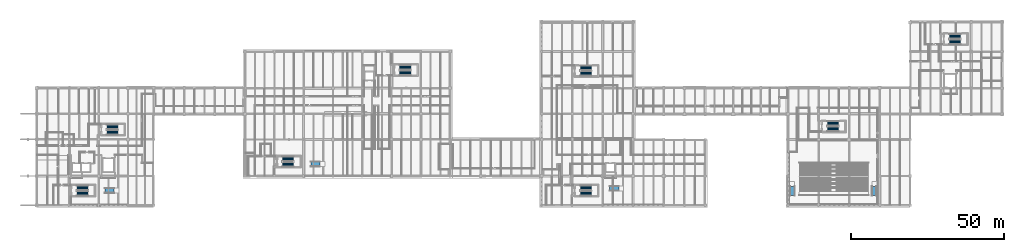
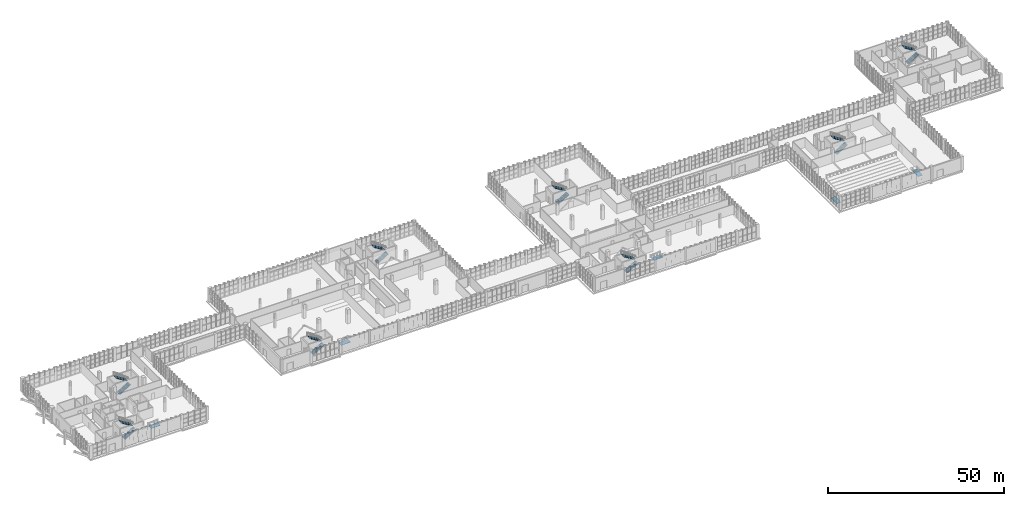
# One storey, part 106 of 121: 16 stair flights, 5 ramp flights, 13 elements without a shape of their own.
"""IFC4 building model written with IfcOpenShell, lengths in metres."""

from ifc_helpers import new_model, si_unit, direction, frame, origin, place, context, subcontext, project, spatial, polyline, outline, extrude, material, layer, layer_set, type_object, element, aggregate, save


model = new_model("IFC4")

# Units and contexts
model_context = context("Model", 3, precision=1e-05, world=origin(), true_north=direction((0.0, 1.0)))
body_context = subcontext(model_context, "Body", "Model", "MODEL_VIEW")
ifc_project = project(units=[si_unit("LENGTHUNIT", "METRE"), si_unit("AREAUNIT", "SQUARE_METRE"), si_unit("VOLUMEUNIT", "CUBIC_METRE"), si_unit("PLANEANGLEUNIT", "RADIAN"), si_unit("MASSUNIT", "GRAM", prefix="KILO")], contexts=[model_context])

# Site, building, storey
site_placement = place(None, origin())
site = spatial("IfcSite", under=ifc_project, at=site_placement, CompositionType="ELEMENT")
building_placement = place(site_placement, origin())
building = spatial("IfcBuilding", under=site, at=building_placement, Name="Zereglee Splitstone Museum", CompositionType="ELEMENT")
storey_placement = place(building_placement, origin())
storey = spatial("IfcBuildingStorey", under=building, at=storey_placement, Name="L00", CompositionType="ELEMENT", Elevation=0.0)

# Stair, stair flights
ifc_material = material(Name="Concrete C35/45", Category="concrete")
stair_type_1 = type_object("IfcStairType", Name="ST-01A", PredefinedType="HALF_TURN_STAIR", material=ifc_material)
stair_1_placement = place(storey_placement, origin())
stair_1 = element("IfcStair", 1, at=stair_1_placement, inside=storey, type_object=stair_type_1, Name="L00 Protected Exit Stair ST-01 A", PredefinedType="HALF_TURN_STAIR")
stair_flight_type_1 = type_object("IfcStairFlightType", Name="ST-01A", PredefinedType="STRAIGHT", material=ifc_material)
stair_flight_1_placement = place(storey_placement, frame((22.85009765625, 3.89990234375, 0.0), z_axis=(0.0, 0.0, 1.0), x_axis=(1.0, 0.0, 0.0)))
stair_flight_1 = element("IfcStairFlight", 2, at=stair_flight_1_placement, type_object=stair_flight_type_1, Name="ST-01A flight 1", NumberOfRisers=14, NumberOfTreads=13, PredefinedType="STRAIGHT", RiserHeight=0.171428571, TreadLength=0.28, context=body_context, shape_type="SweptSolid", body=[
    extrude(outline(polyline([(0.0, 0.0), (0.0, 0.17138671875), (0.280029296875, 0.17138671875), (0.280029296875, 0.3427734375), (0.56005859375, 0.3427734375), (0.56005859375, 0.514404296875), (0.840087890625, 0.514404296875), (0.840087890625, 0.685791015625), (1.1201171875, 0.685791015625), (1.1201171875, 0.857177734375), (1.39990234375, 0.857177734375), (1.39990234375, 1.028564453125), (1.679931640625, 1.028564453125), (1.679931640625, 1.199951171875), (1.9599609375, 1.199951171875), (1.9599609375, 1.371337890625), (2.239990234375, 1.371337890625), (2.239990234375, 1.54296875), (2.52001953125, 1.54296875), (2.52001953125, 1.71435546875), (2.800048828125, 1.71435546875), (2.800048828125, 1.8857421875), (3.080078125, 1.8857421875), (3.080078125, 2.05712890625), (3.360107421875, 2.05712890625), (3.360107421875, 2.228515625), (3.639892578125, 2.228515625), (3.639892578125, 2.39990234375), (3.639892578125, 2.041015625), (0.30615234375, 0.0), (0.0, 0.0)])), frame((0.0, 0.800048828125, 0.0), z_axis=(0.0, -1.0, 0.0), x_axis=(1.0, 0.0, 0.0)), (0.0, 0.0, 1.0), 1.60009765625),
])
stair_flight_2_placement = place(storey_placement, frame((26.489990234375, 5.699951171875, 2.39990234375), z_axis=(0.0, 0.0, 1.0), x_axis=(-1.0, 0.0, 0.0)))
stair_flight_2 = element("IfcStairFlight", 3, at=stair_flight_2_placement, type_object=stair_flight_type_1, Name="ST-01A flight 2", NumberOfRisers=14, NumberOfTreads=13, PredefinedType="STRAIGHT", RiserHeight=0.171428571, TreadLength=0.28, context=body_context, shape_type="SweptSolid", body=[
    extrude(outline(polyline([(0.0, 0.0), (0.0, 0.17138671875), (0.280029296875, 0.17138671875), (0.280029296875, 0.3427734375), (0.56005859375, 0.3427734375), (0.56005859375, 0.514404296875), (0.840087890625, 0.514404296875), (0.840087890625, 0.685791015625), (1.1201171875, 0.685791015625), (1.1201171875, 0.857177734375), (1.39990234375, 0.857177734375), (1.39990234375, 1.028564453125), (1.679931640625, 1.028564453125), (1.679931640625, 1.199951171875), (1.9599609375, 1.199951171875), (1.9599609375, 1.371337890625), (2.239990234375, 1.371337890625), (2.239990234375, 1.54296875), (2.52001953125, 1.54296875), (2.52001953125, 1.71435546875), (2.800048828125, 1.71435546875), (2.800048828125, 1.8857421875), (3.080078125, 1.8857421875), (3.080078125, 2.05712890625), (3.360107421875, 2.05712890625), (3.360107421875, 2.228515625), (3.639892578125, 2.228515625), (3.639892578125, 2.39990234375), (3.639892578125, 2.041015625), (0.30615234375, 0.0), (0.0, 0.0)])), frame((0.0, 0.800048828125, 0.0), z_axis=(0.0, -1.0, 0.0), x_axis=(1.0, 0.0, 0.0)), (0.0, 0.0, 1.0), 1.60009765625),
])
aggregate(stair_1, [stair_flight_1, stair_flight_2])

stair_type_2 = type_object("IfcStairType", Name="ST-02A", PredefinedType="HALF_TURN_STAIR", material=ifc_material)
stair_2_placement = place(storey_placement, origin())
stair_2 = element("IfcStair", 4, at=stair_2_placement, inside=storey, type_object=stair_type_2, Name="L00 Protected Exit Stair ST-02 A", PredefinedType="HALF_TURN_STAIR")
stair_flight_type_2 = type_object("IfcStairFlightType", Name="ST-02A", PredefinedType="STRAIGHT", material=ifc_material)
stair_flight_3_placement = place(storey_placement, frame((32.64990234375, 23.89990234375, 0.0), z_axis=(0.0, 0.0, 1.0), x_axis=(1.0, 0.0, 0.0)))
stair_flight_3 = element("IfcStairFlight", 5, at=stair_flight_3_placement, type_object=stair_flight_type_2, Name="ST-02A flight 1", NumberOfRisers=14, NumberOfTreads=13, PredefinedType="STRAIGHT", RiserHeight=0.171428571, TreadLength=0.28, context=body_context, shape_type="SweptSolid", body=[
    extrude(outline(polyline([(0.0, 0.0), (0.0, 0.17138671875), (0.280029296875, 0.17138671875), (0.280029296875, 0.3427734375), (0.56005859375, 0.3427734375), (0.56005859375, 0.514404296875), (0.840087890625, 0.514404296875), (0.840087890625, 0.685791015625), (1.1201171875, 0.685791015625), (1.1201171875, 0.857177734375), (1.39990234375, 0.857177734375), (1.39990234375, 1.028564453125), (1.679931640625, 1.028564453125), (1.679931640625, 1.199951171875), (1.9599609375, 1.199951171875), (1.9599609375, 1.371337890625), (2.239990234375, 1.371337890625), (2.239990234375, 1.54296875), (2.52001953125, 1.54296875), (2.52001953125, 1.71435546875), (2.800048828125, 1.71435546875), (2.800048828125, 1.8857421875), (3.080078125, 1.8857421875), (3.080078125, 2.05712890625), (3.360107421875, 2.05712890625), (3.360107421875, 2.228515625), (3.639892578125, 2.228515625), (3.639892578125, 2.39990234375), (3.639892578125, 2.041015625), (0.30615234375, 0.0), (0.0, 0.0)])), frame((0.0, 0.800048828125, 0.0), z_axis=(0.0, -1.0, 0.0), x_axis=(1.0, 0.0, 0.0)), (0.0, 0.0, 1.0), 1.60009765625),
])
stair_flight_4_placement = place(storey_placement, frame((36.2900390625, 25.699951171875, 2.39990234375), z_axis=(0.0, 0.0, 1.0), x_axis=(-1.0, 0.0, 0.0)))
stair_flight_4 = element("IfcStairFlight", 6, at=stair_flight_4_placement, type_object=stair_flight_type_2, Name="ST-02A flight 2", NumberOfRisers=14, NumberOfTreads=13, PredefinedType="STRAIGHT", RiserHeight=0.171428571, TreadLength=0.28, context=body_context, shape_type="SweptSolid", body=[
    extrude(outline(polyline([(0.0, 0.0), (0.0, 0.17138671875), (0.280029296875, 0.17138671875), (0.280029296875, 0.3427734375), (0.56005859375, 0.3427734375), (0.56005859375, 0.514404296875), (0.840087890625, 0.514404296875), (0.840087890625, 0.685791015625), (1.1201171875, 0.685791015625), (1.1201171875, 0.857177734375), (1.39990234375, 0.857177734375), (1.39990234375, 1.028564453125), (1.679931640625, 1.028564453125), (1.679931640625, 1.199951171875), (1.9599609375, 1.199951171875), (1.9599609375, 1.371337890625), (2.239990234375, 1.371337890625), (2.239990234375, 1.54296875), (2.52001953125, 1.54296875), (2.52001953125, 1.71435546875), (2.800048828125, 1.71435546875), (2.800048828125, 1.8857421875), (3.080078125, 1.8857421875), (3.080078125, 2.05712890625), (3.360107421875, 2.05712890625), (3.360107421875, 2.228515625), (3.639892578125, 2.228515625), (3.639892578125, 2.39990234375), (3.639892578125, 2.041015625), (0.30615234375, 0.0), (0.0, 0.0)])), frame((0.0, 0.800048828125, 0.0), z_axis=(0.0, -1.0, 0.0), x_axis=(1.0, 0.0, 0.0)), (0.0, 0.0, 1.0), 1.60009765625),
])
aggregate(stair_2, [stair_flight_3, stair_flight_4])

stair_type_3 = type_object("IfcStairType", Name="ST-03A", PredefinedType="HALF_TURN_STAIR", material=ifc_material)
stair_3_placement = place(storey_placement, origin())
stair_3 = element("IfcStair", 7, at=stair_3_placement, inside=storey, type_object=stair_type_3, Name="L00 Protected Exit Stair ST-03 A", PredefinedType="HALF_TURN_STAIR")
stair_flight_type_3 = type_object("IfcStairFlightType", Name="ST-03A", PredefinedType="STRAIGHT", material=ifc_material)
stair_flight_5_placement = place(storey_placement, frame((128.64990234375, 43.39990234375, 0.0), z_axis=(0.0, 0.0, 1.0), x_axis=(1.0, 0.0, 0.0)))
stair_flight_5 = element("IfcStairFlight", 8, at=stair_flight_5_placement, type_object=stair_flight_type_3, Name="ST-03A flight 1", NumberOfRisers=14, NumberOfTreads=13, PredefinedType="STRAIGHT", RiserHeight=0.171428571, TreadLength=0.28, context=body_context, shape_type="SweptSolid", body=[
    extrude(outline(polyline([(0.0, 0.0), (0.0, 0.17138671875), (0.280029296875, 0.17138671875), (0.280029296875, 0.3427734375), (0.56005859375, 0.3427734375), (0.56005859375, 0.514404296875), (0.840087890625, 0.514404296875), (0.840087890625, 0.685791015625), (1.1201171875, 0.685791015625), (1.1201171875, 0.857177734375), (1.39990234375, 0.857177734375), (1.39990234375, 1.028564453125), (1.679931640625, 1.028564453125), (1.679931640625, 1.199951171875), (1.9599609375, 1.199951171875), (1.9599609375, 1.371337890625), (2.239990234375, 1.371337890625), (2.239990234375, 1.54296875), (2.52001953125, 1.54296875), (2.52001953125, 1.71435546875), (2.800048828125, 1.71435546875), (2.800048828125, 1.8857421875), (3.080078125, 1.8857421875), (3.080078125, 2.05712890625), (3.360107421875, 2.05712890625), (3.360107421875, 2.228515625), (3.639892578125, 2.228515625), (3.639892578125, 2.39990234375), (3.639892578125, 2.041015625), (0.30615234375, 0.0), (0.0, 0.0)])), frame((0.0, 0.800048828125, 0.0), z_axis=(0.0, -1.0, 0.0), x_axis=(1.0, 0.0, 0.0)), (0.0, 0.0, 1.0), 1.60009765625),
])
stair_flight_6_placement = place(storey_placement, frame((132.2900390625, 45.199951171875, 2.39990234375), z_axis=(0.0, 0.0, 1.0), x_axis=(-1.0, 0.0, 0.0)))
stair_flight_6 = element("IfcStairFlight", 9, at=stair_flight_6_placement, type_object=stair_flight_type_3, Name="ST-03A flight 2", NumberOfRisers=14, NumberOfTreads=13, PredefinedType="STRAIGHT", RiserHeight=0.171428571, TreadLength=0.28, context=body_context, shape_type="SweptSolid", body=[
    extrude(outline(polyline([(0.0, 0.0), (0.0, 0.17138671875), (0.280029296875, 0.17138671875), (0.280029296875, 0.3427734375), (0.56005859375, 0.3427734375), (0.56005859375, 0.514404296875), (0.840087890625, 0.514404296875), (0.840087890625, 0.685791015625), (1.1201171875, 0.685791015625), (1.1201171875, 0.857177734375), (1.39990234375, 0.857177734375), (1.39990234375, 1.028564453125), (1.679931640625, 1.028564453125), (1.679931640625, 1.199951171875), (1.9599609375, 1.199951171875), (1.9599609375, 1.371337890625), (2.239990234375, 1.371337890625), (2.239990234375, 1.54296875), (2.52001953125, 1.54296875), (2.52001953125, 1.71435546875), (2.800048828125, 1.71435546875), (2.800048828125, 1.8857421875), (3.080078125, 1.8857421875), (3.080078125, 2.05712890625), (3.360107421875, 2.05712890625), (3.360107421875, 2.228515625), (3.639892578125, 2.228515625), (3.639892578125, 2.39990234375), (3.639892578125, 2.041015625), (0.30615234375, 0.0), (0.0, 0.0)])), frame((0.0, 0.800048828125, 0.0), z_axis=(0.0, -1.0, 0.0), x_axis=(1.0, 0.0, 0.0)), (0.0, 0.0, 1.0), 1.60009765625),
])
aggregate(stair_3, [stair_flight_5, stair_flight_6])

stair_type_4 = type_object("IfcStairType", Name="ST-04A", PredefinedType="HALF_TURN_STAIR", material=ifc_material)
stair_4_placement = place(storey_placement, origin())
stair_4 = element("IfcStair", 10, at=stair_4_placement, inside=storey, type_object=stair_type_4, Name="L00 Protected Exit Stair ST-04 A", PredefinedType="HALF_TURN_STAIR")
stair_flight_type_4 = type_object("IfcStairFlightType", Name="ST-04A", PredefinedType="STRAIGHT", material=ifc_material)
stair_flight_7_placement = place(storey_placement, frame((187.85009765625, 3.89990234375, 0.0), z_axis=(0.0, 0.0, 1.0), x_axis=(1.0, 0.0, 0.0)))
stair_flight_7 = element("IfcStairFlight", 11, at=stair_flight_7_placement, type_object=stair_flight_type_4, Name="ST-04A flight 1", NumberOfRisers=14, NumberOfTreads=13, PredefinedType="STRAIGHT", RiserHeight=0.171428571, TreadLength=0.28, context=body_context, shape_type="SweptSolid", body=[
    extrude(outline(polyline([(0.0, 0.0), (0.0, 0.17138671875), (0.280029296875, 0.17138671875), (0.280029296875, 0.3427734375), (0.56005859375, 0.3427734375), (0.56005859375, 0.514404296875), (0.840087890625, 0.514404296875), (0.840087890625, 0.685791015625), (1.1201171875, 0.685791015625), (1.1201171875, 0.857177734375), (1.39990234375, 0.857177734375), (1.39990234375, 1.028564453125), (1.679931640625, 1.028564453125), (1.679931640625, 1.199951171875), (1.9599609375, 1.199951171875), (1.9599609375, 1.371337890625), (2.239990234375, 1.371337890625), (2.239990234375, 1.54296875), (2.52001953125, 1.54296875), (2.52001953125, 1.71435546875), (2.800048828125, 1.71435546875), (2.800048828125, 1.8857421875), (3.080078125, 1.8857421875), (3.080078125, 2.05712890625), (3.360107421875, 2.05712890625), (3.360107421875, 2.228515625), (3.639892578125, 2.228515625), (3.639892578125, 2.39990234375), (3.639892578125, 2.041015625), (0.30615234375, 0.0), (0.0, 0.0)])), frame((0.0, 0.800048828125, 0.0), z_axis=(0.0, -1.0, 0.0), x_axis=(1.0, 0.0, 0.0)), (0.0, 0.0, 1.0), 1.60009765625),
])
stair_flight_8_placement = place(storey_placement, frame((191.489990234375, 5.699951171875, 2.39990234375), z_axis=(0.0, 0.0, 1.0), x_axis=(-1.0, 0.0, 0.0)))
stair_flight_8 = element("IfcStairFlight", 12, at=stair_flight_8_placement, type_object=stair_flight_type_4, Name="ST-04A flight 2", NumberOfRisers=14, NumberOfTreads=13, PredefinedType="STRAIGHT", RiserHeight=0.171428571, TreadLength=0.28, context=body_context, shape_type="SweptSolid", body=[
    extrude(outline(polyline([(0.0, 0.0), (0.0, 0.17138671875), (0.280029296875, 0.17138671875), (0.280029296875, 0.3427734375), (0.56005859375, 0.3427734375), (0.56005859375, 0.514404296875), (0.840087890625, 0.514404296875), (0.840087890625, 0.685791015625), (1.1201171875, 0.685791015625), (1.1201171875, 0.857177734375), (1.39990234375, 0.857177734375), (1.39990234375, 1.028564453125), (1.679931640625, 1.028564453125), (1.679931640625, 1.199951171875), (1.9599609375, 1.199951171875), (1.9599609375, 1.371337890625), (2.239990234375, 1.371337890625), (2.239990234375, 1.54296875), (2.52001953125, 1.54296875), (2.52001953125, 1.71435546875), (2.800048828125, 1.71435546875), (2.800048828125, 1.8857421875), (3.080078125, 1.8857421875), (3.080078125, 2.05712890625), (3.360107421875, 2.05712890625), (3.360107421875, 2.228515625), (3.639892578125, 2.228515625), (3.639892578125, 2.39990234375), (3.639892578125, 2.041015625), (0.30615234375, 0.0), (0.0, 0.0)])), frame((0.0, 0.800048828125, 0.0), z_axis=(0.0, -1.0, 0.0), x_axis=(1.0, 0.0, 0.0)), (0.0, 0.0, 1.0), 1.60009765625),
])
aggregate(stair_4, [stair_flight_7, stair_flight_8])

stair_type_5 = type_object("IfcStairType", Name="ST-05A", PredefinedType="HALF_TURN_STAIR", material=ifc_material)
stair_5_placement = place(storey_placement, origin())
stair_5 = element("IfcStair", 13, at=stair_5_placement, inside=storey, type_object=stair_type_5, Name="L00 Protected Exit Stair ST-05 A", PredefinedType="HALF_TURN_STAIR")
stair_flight_type_5 = type_object("IfcStairFlightType", Name="ST-05A", PredefinedType="STRAIGHT", material=ifc_material)
stair_flight_9_placement = place(storey_placement, frame((268.85009765625, 25.0, 0.0), z_axis=(0.0, 0.0, 1.0), x_axis=(1.0, 0.0, 0.0)))
stair_flight_9 = element("IfcStairFlight", 14, at=stair_flight_9_placement, type_object=stair_flight_type_5, Name="ST-05A flight 1", NumberOfRisers=14, NumberOfTreads=13, PredefinedType="STRAIGHT", RiserHeight=0.171428571, TreadLength=0.28, context=body_context, shape_type="SweptSolid", body=[
    extrude(outline(polyline([(0.0, 0.0), (0.0, 0.17138671875), (0.280029296875, 0.17138671875), (0.280029296875, 0.3427734375), (0.56005859375, 0.3427734375), (0.56005859375, 0.514404296875), (0.840087890625, 0.514404296875), (0.840087890625, 0.685791015625), (1.1201171875, 0.685791015625), (1.1201171875, 0.857177734375), (1.39990234375, 0.857177734375), (1.39990234375, 1.028564453125), (1.679931640625, 1.028564453125), (1.679931640625, 1.199951171875), (1.9599609375, 1.199951171875), (1.9599609375, 1.371337890625), (2.239990234375, 1.371337890625), (2.239990234375, 1.54296875), (2.52001953125, 1.54296875), (2.52001953125, 1.71435546875), (2.800048828125, 1.71435546875), (2.800048828125, 1.8857421875), (3.080078125, 1.8857421875), (3.080078125, 2.05712890625), (3.360107421875, 2.05712890625), (3.360107421875, 2.228515625), (3.639892578125, 2.228515625), (3.639892578125, 2.39990234375), (3.639892578125, 2.041015625), (0.30615234375, 0.0), (0.0, 0.0)])), frame((0.0, 0.800048828125, 0.0), z_axis=(0.0, -1.0, 0.0), x_axis=(1.0, 0.0, 0.0)), (0.0, 0.0, 1.0), 1.60009765625),
])
stair_flight_10_placement = place(storey_placement, frame((272.489990234375, 26.800048828125, 2.39990234375), z_axis=(0.0, 0.0, 1.0), x_axis=(-1.0, 0.0, 0.0)))
stair_flight_10 = element("IfcStairFlight", 15, at=stair_flight_10_placement, type_object=stair_flight_type_5, Name="ST-05A flight 2", NumberOfRisers=14, NumberOfTreads=13, PredefinedType="STRAIGHT", RiserHeight=0.171428571, TreadLength=0.28, context=body_context, shape_type="SweptSolid", body=[
    extrude(outline(polyline([(0.0, 0.0), (0.0, 0.17138671875), (0.280029296875, 0.17138671875), (0.280029296875, 0.3427734375), (0.56005859375, 0.3427734375), (0.56005859375, 0.514404296875), (0.840087890625, 0.514404296875), (0.840087890625, 0.685791015625), (1.1201171875, 0.685791015625), (1.1201171875, 0.857177734375), (1.39990234375, 0.857177734375), (1.39990234375, 1.028564453125), (1.679931640625, 1.028564453125), (1.679931640625, 1.199951171875), (1.9599609375, 1.199951171875), (1.9599609375, 1.371337890625), (2.239990234375, 1.371337890625), (2.239990234375, 1.54296875), (2.52001953125, 1.54296875), (2.52001953125, 1.71435546875), (2.800048828125, 1.71435546875), (2.800048828125, 1.8857421875), (3.080078125, 1.8857421875), (3.080078125, 2.05712890625), (3.360107421875, 2.05712890625), (3.360107421875, 2.228515625), (3.639892578125, 2.228515625), (3.639892578125, 2.39990234375), (3.639892578125, 2.041015625), (0.30615234375, 0.0), (0.0, 0.0)])), frame((0.0, 0.800048828125, 0.0), z_axis=(0.0, -1.0, 0.0), x_axis=(1.0, 0.0, 0.0)), (0.0, 0.0, 1.0), 1.60009765625),
])
aggregate(stair_5, [stair_flight_9, stair_flight_10])

stair_type_6 = type_object("IfcStairType", Name="ST-06A", PredefinedType="HALF_TURN_STAIR", material=ifc_material)
stair_6_placement = place(storey_placement, origin())
stair_6 = element("IfcStair", 16, at=stair_6_placement, inside=storey, type_object=stair_type_6, Name="L00 Protected Exit Stair ST-06 A", PredefinedType="HALF_TURN_STAIR")
stair_flight_type_6 = type_object("IfcStairFlightType", Name="ST-06A", PredefinedType="STRAIGHT", material=ifc_material)
stair_flight_11_placement = place(storey_placement, frame((90.25, 13.39990234375, 0.0), z_axis=(0.0, 0.0, 1.0), x_axis=(1.0, 0.0, 0.0)))
stair_flight_11 = element("IfcStairFlight", 17, at=stair_flight_11_placement, type_object=stair_flight_type_6, Name="ST-06A flight 1", NumberOfRisers=14, NumberOfTreads=13, PredefinedType="STRAIGHT", RiserHeight=0.171428571, TreadLength=0.28, context=body_context, shape_type="SweptSolid", body=[
    extrude(outline(polyline([(0.0, 0.0), (0.0, 0.17138671875), (0.280029296875, 0.17138671875), (0.280029296875, 0.3427734375), (0.56005859375, 0.3427734375), (0.56005859375, 0.514404296875), (0.840087890625, 0.514404296875), (0.840087890625, 0.685791015625), (1.1201171875, 0.685791015625), (1.1201171875, 0.857177734375), (1.39990234375, 0.857177734375), (1.39990234375, 1.028564453125), (1.679931640625, 1.028564453125), (1.679931640625, 1.199951171875), (1.9599609375, 1.199951171875), (1.9599609375, 1.371337890625), (2.239990234375, 1.371337890625), (2.239990234375, 1.54296875), (2.52001953125, 1.54296875), (2.52001953125, 1.71435546875), (2.800048828125, 1.71435546875), (2.800048828125, 1.8857421875), (3.080078125, 1.8857421875), (3.080078125, 2.05712890625), (3.360107421875, 2.05712890625), (3.360107421875, 2.228515625), (3.639892578125, 2.228515625), (3.639892578125, 2.39990234375), (3.639892578125, 2.041015625), (0.30615234375, 0.0), (0.0, 0.0)])), frame((0.0, 0.800048828125, 0.0), z_axis=(0.0, -1.0, 0.0), x_axis=(1.0, 0.0, 0.0)), (0.0, 0.0, 1.0), 1.60009765625),
])
stair_flight_12_placement = place(storey_placement, frame((93.889892578125, 15.199951171875, 2.39990234375), z_axis=(0.0, 0.0, 1.0), x_axis=(-1.0, 0.0, 0.0)))
stair_flight_12 = element("IfcStairFlight", 18, at=stair_flight_12_placement, type_object=stair_flight_type_6, Name="ST-06A flight 2", NumberOfRisers=14, NumberOfTreads=13, PredefinedType="STRAIGHT", RiserHeight=0.171428571, TreadLength=0.28, context=body_context, shape_type="SweptSolid", body=[
    extrude(outline(polyline([(0.0, 0.0), (0.0, 0.17138671875), (0.280029296875, 0.17138671875), (0.280029296875, 0.3427734375), (0.56005859375, 0.3427734375), (0.56005859375, 0.514404296875), (0.840087890625, 0.514404296875), (0.840087890625, 0.685791015625), (1.1201171875, 0.685791015625), (1.1201171875, 0.857177734375), (1.39990234375, 0.857177734375), (1.39990234375, 1.028564453125), (1.679931640625, 1.028564453125), (1.679931640625, 1.199951171875), (1.9599609375, 1.199951171875), (1.9599609375, 1.371337890625), (2.239990234375, 1.371337890625), (2.239990234375, 1.54296875), (2.52001953125, 1.54296875), (2.52001953125, 1.71435546875), (2.800048828125, 1.71435546875), (2.800048828125, 1.8857421875), (3.080078125, 1.8857421875), (3.080078125, 2.05712890625), (3.360107421875, 2.05712890625), (3.360107421875, 2.228515625), (3.639892578125, 2.228515625), (3.639892578125, 2.39990234375), (3.639892578125, 2.041015625), (0.30615234375, 0.0), (0.0, 0.0)])), frame((0.0, 0.800048828125, 0.0), z_axis=(0.0, -1.0, 0.0), x_axis=(1.0, 0.0, 0.0)), (0.0, 0.0, 1.0), 1.60009765625),
])
aggregate(stair_6, [stair_flight_11, stair_flight_12])

stair_type_7 = type_object("IfcStairType", Name="ST-07A", PredefinedType="HALF_TURN_STAIR", material=ifc_material)
stair_7_placement = place(storey_placement, origin())
stair_7 = element("IfcStair", 19, at=stair_7_placement, inside=storey, type_object=stair_type_7, Name="L00 Protected Exit Stair ST-07 A", PredefinedType="HALF_TURN_STAIR")
stair_flight_type_7 = type_object("IfcStairFlightType", Name="ST-07A", PredefinedType="STRAIGHT", material=ifc_material)
stair_flight_13_placement = place(storey_placement, frame((187.85009765625, 43.199951171875, 0.0), z_axis=(0.0, 0.0, 1.0), x_axis=(1.0, 0.0, 0.0)))
stair_flight_13 = element("IfcStairFlight", 20, at=stair_flight_13_placement, type_object=stair_flight_type_7, Name="ST-07A flight 1", NumberOfRisers=14, NumberOfTreads=13, PredefinedType="STRAIGHT", RiserHeight=0.171428571, TreadLength=0.28, context=body_context, shape_type="SweptSolid", body=[
    extrude(outline(polyline([(0.0, 0.0), (0.0, 0.17138671875), (0.280029296875, 0.17138671875), (0.280029296875, 0.3427734375), (0.56005859375, 0.3427734375), (0.56005859375, 0.514404296875), (0.840087890625, 0.514404296875), (0.840087890625, 0.685791015625), (1.1201171875, 0.685791015625), (1.1201171875, 0.857177734375), (1.39990234375, 0.857177734375), (1.39990234375, 1.028564453125), (1.679931640625, 1.028564453125), (1.679931640625, 1.199951171875), (1.9599609375, 1.199951171875), (1.9599609375, 1.371337890625), (2.239990234375, 1.371337890625), (2.239990234375, 1.54296875), (2.52001953125, 1.54296875), (2.52001953125, 1.71435546875), (2.800048828125, 1.71435546875), (2.800048828125, 1.8857421875), (3.080078125, 1.8857421875), (3.080078125, 2.05712890625), (3.360107421875, 2.05712890625), (3.360107421875, 2.228515625), (3.639892578125, 2.228515625), (3.639892578125, 2.39990234375), (3.639892578125, 2.041015625), (0.30615234375, 0.0), (0.0, 0.0)])), frame((0.0, 0.800048828125, 0.0), z_axis=(0.0, -1.0, 0.0), x_axis=(1.0, 0.0, 0.0)), (0.0, 0.0, 1.0), 1.60009765625),
])
stair_flight_14_placement = place(storey_placement, frame((191.489990234375, 45.0, 2.39990234375), z_axis=(0.0, 0.0, 1.0), x_axis=(-1.0, 0.0, 0.0)))
stair_flight_14 = element("IfcStairFlight", 21, at=stair_flight_14_placement, type_object=stair_flight_type_7, Name="ST-07A flight 2", NumberOfRisers=14, NumberOfTreads=13, PredefinedType="STRAIGHT", RiserHeight=0.171428571, TreadLength=0.28, context=body_context, shape_type="SweptSolid", body=[
    extrude(outline(polyline([(0.0, 0.0), (0.0, 0.17138671875), (0.280029296875, 0.17138671875), (0.280029296875, 0.3427734375), (0.56005859375, 0.3427734375), (0.56005859375, 0.514404296875), (0.840087890625, 0.514404296875), (0.840087890625, 0.685791015625), (1.1201171875, 0.685791015625), (1.1201171875, 0.857177734375), (1.39990234375, 0.857177734375), (1.39990234375, 1.028564453125), (1.679931640625, 1.028564453125), (1.679931640625, 1.199951171875), (1.9599609375, 1.199951171875), (1.9599609375, 1.371337890625), (2.239990234375, 1.371337890625), (2.239990234375, 1.54296875), (2.52001953125, 1.54296875), (2.52001953125, 1.71435546875), (2.800048828125, 1.71435546875), (2.800048828125, 1.8857421875), (3.080078125, 1.8857421875), (3.080078125, 2.05712890625), (3.360107421875, 2.05712890625), (3.360107421875, 2.228515625), (3.639892578125, 2.228515625), (3.639892578125, 2.39990234375), (3.639892578125, 2.041015625), (0.30615234375, 0.0), (0.0, 0.0)])), frame((0.0, 0.800048828125, 0.0), z_axis=(0.0, -1.0, 0.0), x_axis=(1.0, 0.0, 0.0)), (0.0, 0.0, 1.0), 1.60009765625),
])
aggregate(stair_7, [stair_flight_13, stair_flight_14])

stair_type_8 = type_object("IfcStairType", Name="ST-08A", PredefinedType="HALF_TURN_STAIR", material=ifc_material)
stair_8_placement = place(storey_placement, origin())
stair_8 = element("IfcStair", 22, at=stair_8_placement, inside=storey, type_object=stair_type_8, Name="L00 Protected Exit Stair ST-08 A", PredefinedType="HALF_TURN_STAIR")
stair_flight_type_8 = type_object("IfcStairFlightType", Name="ST-08A", PredefinedType="STRAIGHT", material=ifc_material)
stair_flight_15_placement = place(storey_placement, frame((308.85009765625, 53.60009765625, 0.0), z_axis=(0.0, 0.0, 1.0), x_axis=(1.0, 0.0, 0.0)))
stair_flight_15 = element("IfcStairFlight", 23, at=stair_flight_15_placement, type_object=stair_flight_type_8, Name="ST-08A flight 1", NumberOfRisers=14, NumberOfTreads=13, PredefinedType="STRAIGHT", RiserHeight=0.171428571, TreadLength=0.28, context=body_context, shape_type="SweptSolid", body=[
    extrude(outline(polyline([(0.0, 0.0), (0.0, 0.17138671875), (0.280029296875, 0.17138671875), (0.280029296875, 0.3427734375), (0.56005859375, 0.3427734375), (0.56005859375, 0.514404296875), (0.840087890625, 0.514404296875), (0.840087890625, 0.685791015625), (1.1201171875, 0.685791015625), (1.1201171875, 0.857177734375), (1.39990234375, 0.857177734375), (1.39990234375, 1.028564453125), (1.679931640625, 1.028564453125), (1.679931640625, 1.199951171875), (1.9599609375, 1.199951171875), (1.9599609375, 1.371337890625), (2.239990234375, 1.371337890625), (2.239990234375, 1.54296875), (2.52001953125, 1.54296875), (2.52001953125, 1.71435546875), (2.800048828125, 1.71435546875), (2.800048828125, 1.8857421875), (3.080078125, 1.8857421875), (3.080078125, 2.05712890625), (3.360107421875, 2.05712890625), (3.360107421875, 2.228515625), (3.639892578125, 2.228515625), (3.639892578125, 2.39990234375), (3.639892578125, 2.041015625), (0.30615234375, 0.0), (0.0, 0.0)])), frame((0.0, 0.800048828125, 0.0), z_axis=(0.0, -1.0, 0.0), x_axis=(1.0, 0.0, 0.0)), (0.0, 0.0, 1.0), 1.60009765625),
])
stair_flight_16_placement = place(storey_placement, frame((312.489990234375, 55.39990234375, 2.39990234375), z_axis=(0.0, 0.0, 1.0), x_axis=(-1.0, 0.0, 0.0)))
stair_flight_16 = element("IfcStairFlight", 24, at=stair_flight_16_placement, type_object=stair_flight_type_8, Name="ST-08A flight 2", NumberOfRisers=14, NumberOfTreads=13, PredefinedType="STRAIGHT", RiserHeight=0.171428571, TreadLength=0.28, context=body_context, shape_type="SweptSolid", body=[
    extrude(outline(polyline([(0.0, 0.0), (0.0, 0.17138671875), (0.280029296875, 0.17138671875), (0.280029296875, 0.3427734375), (0.56005859375, 0.3427734375), (0.56005859375, 0.514404296875), (0.840087890625, 0.514404296875), (0.840087890625, 0.685791015625), (1.1201171875, 0.685791015625), (1.1201171875, 0.857177734375), (1.39990234375, 0.857177734375), (1.39990234375, 1.028564453125), (1.679931640625, 1.028564453125), (1.679931640625, 1.199951171875), (1.9599609375, 1.199951171875), (1.9599609375, 1.371337890625), (2.239990234375, 1.371337890625), (2.239990234375, 1.54296875), (2.52001953125, 1.54296875), (2.52001953125, 1.71435546875), (2.800048828125, 1.71435546875), (2.800048828125, 1.8857421875), (3.080078125, 1.8857421875), (3.080078125, 2.05712890625), (3.360107421875, 2.05712890625), (3.360107421875, 2.228515625), (3.639892578125, 2.228515625), (3.639892578125, 2.39990234375), (3.639892578125, 2.041015625), (0.30615234375, 0.0), (0.0, 0.0)])), frame((0.0, 0.800048828125, 0.0), z_axis=(0.0, -1.0, 0.0), x_axis=(1.0, 0.0, 0.0)), (0.0, 0.0, 1.0), 1.60009765625),
])
aggregate(stair_8, [stair_flight_15, stair_flight_16])

# Ramp, ramp flight
ramp_type = type_object("IfcRampType", Name="RMP-01", PredefinedType="STRAIGHT_RUN_RAMP", material=ifc_material)
ramp_1_placement = place(storey_placement, origin())
ramp_1 = element("IfcRamp", 25, at=ramp_1_placement, inside=storey, type_object=ramp_type, Name="Auditorium Vomitory Ramp VR-1", PredefinedType="STRAIGHT_RUN_RAMP")
ifc_layer = layer(ifc_material, 0.199951171875)
ifc_layer_set = layer_set([ifc_layer], Name="Concrete C35/45")
ramp_flight_type = type_object("IfcRampFlightType", Name="RMF-01", PredefinedType="STRAIGHT", material=ifc_layer_set)
ramp_flight_1_placement = place(storey_placement, frame((257.39990234375, 3.199951171875, 0.0), z_axis=(0.0, 0.0, 1.0), x_axis=(0.0, 1.0, 0.0)))
ramp_flight_1 = element("IfcRampFlight", 26, at=ramp_flight_1_placement, type_object=ramp_flight_type, Name="Auditorium Vomitory Ramp VR-1 Flight", PredefinedType="STRAIGHT", context=body_context, shape_type="SweptSolid", body=[
    extrude(outline(polyline([(0.0, 0.0), (3.0, 0.25), (3.0, 0.04931640625), (2.40771484375, 0.0), (0.0, 0.0)])), frame((0.0, 0.75, 0.0), z_axis=(0.0, -1.0, 0.0), x_axis=(1.0, 0.0, 0.0)), (0.0, 0.0, 1.0), 1.5),
])
aggregate(ramp_1, [ramp_flight_1])

ramp_2_placement = place(storey_placement, origin())
ramp_2 = element("IfcRamp", 27, at=ramp_2_placement, inside=storey, type_object=ramp_type, Name="Auditorium Vomitory Ramp VR-2", PredefinedType="STRAIGHT_RUN_RAMP")
ramp_flight_2_placement = place(storey_placement, frame((284.199951171875, 3.199951171875, 0.0), z_axis=(0.0, 0.0, 1.0), x_axis=(0.0, 1.0, 0.0)))
ramp_flight_2 = element("IfcRampFlight", 28, at=ramp_flight_2_placement, type_object=ramp_flight_type, Name="Auditorium Vomitory Ramp VR-2 Flight", PredefinedType="STRAIGHT", context=body_context, shape_type="SweptSolid", body=[
    extrude(outline(polyline([(0.0, 0.0), (3.0, 0.25), (3.0, 0.04931640625), (2.40771484375, 0.0), (0.0, 0.0)])), frame((0.0, 0.75, 0.0), z_axis=(0.0, -1.0, 0.0), x_axis=(1.0, 0.0, 0.0)), (0.0, 0.0, 1.0), 1.5),
])
aggregate(ramp_2, [ramp_flight_2])

ramp_3_placement = place(storey_placement, origin())
ramp_3 = element("IfcRamp", 29, at=ramp_3_placement, inside=storey, type_object=ramp_type, Name="Pishtaq Foyer Accessible Ramp AR-1", PredefinedType="STRAIGHT_RUN_RAMP")
ramp_flight_3_placement = place(storey_placement, frame((32.0, 4.800048828125, 0.0), z_axis=(0.0, 0.0, 1.0), x_axis=(1.0, 0.0, 0.0)))
ramp_flight_3 = element("IfcRampFlight", 30, at=ramp_flight_3_placement, type_object=ramp_flight_type, Name="Pishtaq Foyer Accessible Ramp AR-1 Flight", PredefinedType="STRAIGHT", context=body_context, shape_type="SweptSolid", body=[
    extrude(outline(polyline([(0.0, 0.0), (3.0, 0.25), (3.0, 0.04931640625), (2.40771484375, 0.0), (0.0, 0.0)])), frame((0.0, 0.800048828125, 0.0), z_axis=(0.0, -1.0, 0.0), x_axis=(1.0, 0.0, 0.0)), (0.0, 0.0, 1.0), 1.60009765625),
])
aggregate(ramp_3, [ramp_flight_3])

ramp_4_placement = place(storey_placement, origin())
ramp_4 = element("IfcRamp", 31, at=ramp_4_placement, inside=storey, type_object=ramp_type, Name="Mineralogy Dais Accessible Ramp AR-2", PredefinedType="STRAIGHT_RUN_RAMP")
ramp_flight_4_placement = place(storey_placement, frame((99.5, 13.5, 0.0), z_axis=(0.0, 0.0, 1.0), x_axis=(1.0, 0.0, 0.0)))
ramp_flight_4 = element("IfcRampFlight", 32, at=ramp_flight_4_placement, type_object=ramp_flight_type, Name="Mineralogy Dais Accessible Ramp AR-2 Flight", PredefinedType="STRAIGHT", context=body_context, shape_type="SweptSolid", body=[
    extrude(outline(polyline([(0.0, 0.0), (3.0, 0.25), (3.0, 0.04931640625), (2.40771484375, 0.0), (0.0, 0.0)])), frame((0.0, 0.800048828125, 0.0), z_axis=(0.0, -1.0, 0.0), x_axis=(1.0, 0.0, 0.0)), (0.0, 0.0, 1.0), 1.60009765625),
])
aggregate(ramp_4, [ramp_flight_4])

ramp_5_placement = place(storey_placement, origin())
ramp_5 = element("IfcRamp", 33, at=ramp_5_placement, inside=storey, type_object=ramp_type, Name="Ecology Diorama Accessible Ramp AR-3", PredefinedType="STRAIGHT_RUN_RAMP")
ramp_flight_5_placement = place(storey_placement, frame((197.5, 5.5, 0.0), z_axis=(0.0, 0.0, 1.0), x_axis=(1.0, 0.0, 0.0)))
ramp_flight_5 = element("IfcRampFlight", 34, at=ramp_flight_5_placement, type_object=ramp_flight_type, Name="Ecology Diorama Accessible Ramp AR-3 Flight", PredefinedType="STRAIGHT", context=body_context, shape_type="SweptSolid", body=[
    extrude(outline(polyline([(0.0, 0.0), (3.0, 0.25), (3.0, 0.04931640625), (2.40771484375, 0.0), (0.0, 0.0)])), frame((0.0, 0.800048828125, 0.0), z_axis=(0.0, -1.0, 0.0), x_axis=(1.0, 0.0, 0.0)), (0.0, 0.0, 1.0), 1.60009765625),
])
aggregate(ramp_5, [ramp_flight_5])

save(model, "model.ifc")
